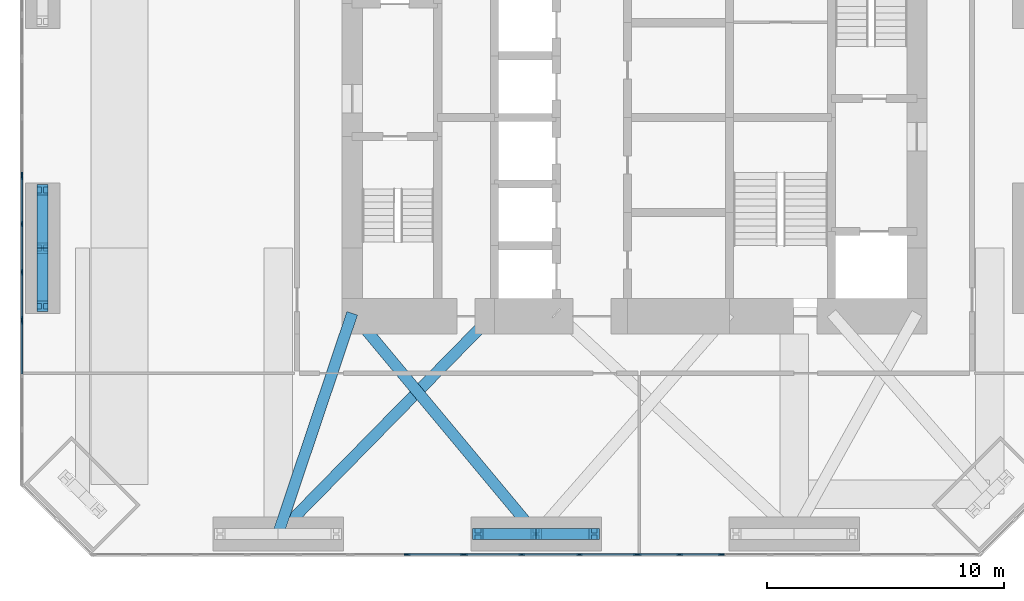
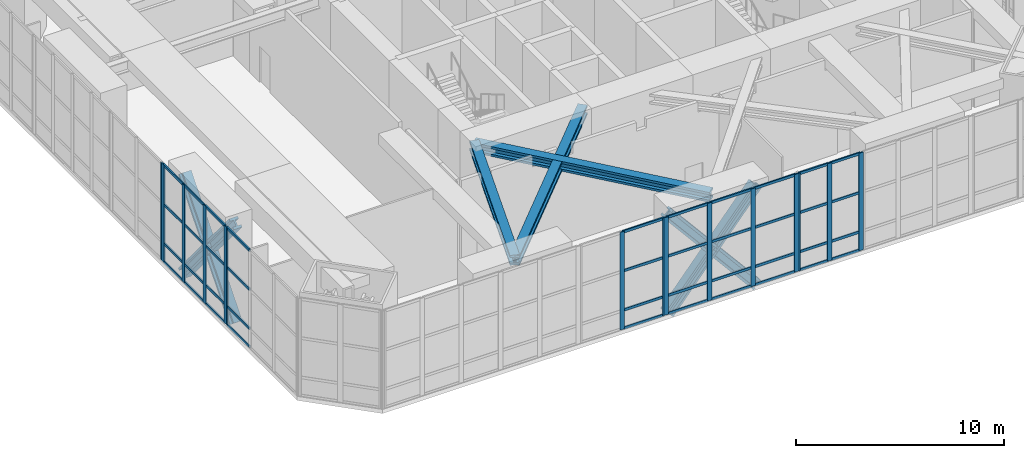
# One storey, part 3 of 18: 66 members, 6 elements without a shape of their own.
"""IFC4 building model written with IfcOpenShell, lengths in metres."""

from ifc_helpers import new_model, si_unit, direction, frame, origin, origin_2d, place, context, subcontext, project, spatial, rectangle, i_section, extrude, material, material_profile, profile_set, type_object, element, aggregate, save


model = new_model("IFC4")

# Units and contexts
model_context = context("Model", 3, precision=1e-05, world=origin(), true_north=direction((0.0, 1.0)))
body_context = subcontext(model_context, "Body", "Model", "MODEL_VIEW")
ifc_project = project(units=[si_unit("LENGTHUNIT", "METRE"), si_unit("AREAUNIT", "SQUARE_METRE"), si_unit("VOLUMEUNIT", "CUBIC_METRE"), si_unit("PLANEANGLEUNIT", "RADIAN"), si_unit("MASSUNIT", "GRAM", prefix="KILO")], contexts=[model_context])

# Site, building, storey
site_placement = place(None, origin())
site = spatial("IfcSite", under=ifc_project, at=site_placement, CompositionType="ELEMENT")
building_placement = place(site_placement, origin())
building = spatial("IfcBuilding", under=site, at=building_placement, Name="Jalousie Tower", CompositionType="ELEMENT")
storey_placement = place(building_placement, frame((0.0, 0.0, 138.35009765625)))
storey = spatial("IfcBuildingStorey", under=building, at=storey_placement, Name="L38", CompositionType="ELEMENT", Elevation=138.35009765625)

# Members
ifc_material_1 = material(Name="Steel ASTM A992 Grade 50", Category="steel")
ifc_material_profile_1 = material_profile(ifc_material_1, i_section(OverallWidth=0.472412109375, OverallDepth=0.5791015625, WebThickness=0.094970703125, FlangeThickness=0.1298828125, at=origin_2d()), Name="W14X808")
ifc_profile_set_1 = profile_set([ifc_material_profile_1], Name="Steel ASTM A992 Grade 50")
member_type_1 = type_object("IfcMemberType", Name="KINK FLOOR TRUSS DIAGONAL W14X808", PredefinedType="BRACE", material=ifc_profile_set_1)
member_1_placement = place(storey_placement, frame((16.875, 0.949951171875, 5.430419921875), z_axis=(0.318518684712, 0.947916582558, 0.0), x_axis=(-0.947916582558, 0.318518684712, 0.0)))
element("IfcMember", 1, at=member_1_placement, inside=storey, type_object=member_type_1, Name="Kink floor truss L39 02 diagonal", PredefinedType="BRACE", context=body_context, shape_type="SweptSolid", body=[
    extrude(i_section(OverallWidth=0.472412109375, OverallDepth=0.5791015625, WebThickness=0.094970703125, FlangeThickness=0.1298828125, at=origin_2d()), origin(), (0.0, 0.0, 1.0), 9.81103515625),
])
member_2_placement = place(storey_placement, frame((16.875, 0.949951171875, 5.430419921875), z_axis=(0.700357242992, 0.713792499392, 0.0), x_axis=(-0.713792499392, 0.700357242992, 0.0)))
element("IfcMember", 2, at=member_2_placement, inside=storey, type_object=member_type_1, Name="Kink floor truss L39 02 diagonal", PredefinedType="BRACE", context=body_context, shape_type="SweptSolid", body=[
    extrude(i_section(OverallWidth=0.472412109375, OverallDepth=0.5791015625, WebThickness=0.094970703125, FlangeThickness=0.1298828125, at=origin_2d()), origin(), (0.0, 0.0, 1.0), 13.029052734375),
])
member_3_placement = place(storey_placement, frame((27.75, 0.949951171875, 5.430419921875), z_axis=(-0.640182416019, 0.768222932631, 0.0), x_axis=(-0.768222932631, -0.640182416019, 0.0)))
element("IfcMember", 3, at=member_3_placement, inside=storey, type_object=member_type_1, Name="Kink floor truss L39 03 diagonal", PredefinedType="BRACE", context=body_context, shape_type="SweptSolid", body=[
    extrude(i_section(OverallWidth=0.472412109375, OverallDepth=0.5791015625, WebThickness=0.094970703125, FlangeThickness=0.1298828125, at=origin_2d()), origin(), (0.0, 0.0, 1.0), 12.10595703125),
])
ifc_material_2 = material(Name="Steel ASTM A992 Grade 50", Category="steel")
ifc_material_profile_2 = material_profile(ifc_material_2, i_section(OverallWidth=0.472412109375, OverallDepth=0.5791015625, WebThickness=0.094970703125, FlangeThickness=0.1298828125, at=origin_2d()), Name="W14X808")
ifc_profile_set_2 = profile_set([ifc_material_profile_2], Name="Steel ASTM A992 Grade 50")
member_type_2 = type_object("IfcMemberType", Name="PERIMETER BRACE W14X808", PredefinedType="BRACE", material=ifc_profile_set_2)
for number, where, z_axis, x_axis, name in (
    (4, (25.300048828125, 0.949951171875, -0.60009765625), (0.642101988506, 0.0, 0.766619225141), (0.0, 1.0, 0.0), "Perimeter brace 03 L38 part 1"),
    (5, (27.75, 0.949951171875, 2.324951171875), (0.642101988506, 0.0, 0.766619225141), (0.0, 1.0, 0.0), "Perimeter brace 03 L38 part 2"),
    (6, (30.199951171875, 0.949951171875, -0.60009765625), (-0.642101988506, 0.0, 0.766619225141), (0.0, -1.0, 0.0), "Perimeter brace 03 L38 part 3"),
    (7, (27.75, 0.949951171875, 2.324951171875), (-0.642101988506, 0.0, 0.766619225141), (0.0, -1.0, 0.0), "Perimeter brace 03 L38 part 4"),
    (8, (6.949951171875, 10.550048828125, -0.60009765625), (0.0, 0.642101988506, 0.766619225141), (-1.0, 0.0, 0.0), "Perimeter brace 14 L38 part 1"),
    (9, (6.949951171875, 13.0, 2.324951171875), (0.0, 0.642101988506, 0.766619225141), (-1.0, 0.0, 0.0), "Perimeter brace 14 L38 part 2"),
    (10, (6.949951171875, 15.449951171875, -0.60009765625), (0.0, -0.642101988506, 0.766619225141), (1.0, 0.0, 0.0), "Perimeter brace 14 L38 part 3"),
    (11, (6.949951171875, 13.0, 2.324951171875), (0.0, -0.642101988506, 0.766619225141), (1.0, 0.0, 0.0), "Perimeter brace 14 L38 part 4"),
):
    element("IfcMember", number, at=place(storey_placement, frame(where, z_axis=z_axis, x_axis=x_axis)), inside=storey, type_object=member_type_2, Name=name, PredefinedType="BRACE", context=body_context, shape_type="SweptSolid", body=[
        extrude(i_section(OverallWidth=0.472412109375, OverallDepth=0.5791015625, WebThickness=0.094970703125, FlangeThickness=0.1298828125, at=origin_2d()), origin(), (0.0, 0.0, 1.0), 3.8154296875),
    ])

# Curtain wall, members
ifc_material_3 = material(Name="Aluminium curtain wall", Category="aluminium")
curtain_wall_type_1 = type_object("IfcCurtainWallType", Name="SKY LOUNGE SPANDREL WALL", PredefinedType="USERDEFINED", material=ifc_material_3)
curtain_wall_1_placement = place(storey_placement, origin())
curtain_wall_1 = element("IfcCurtainWall", 12, at=curtain_wall_1_placement, inside=storey, type_object=curtain_wall_type_1, Name="Sky Lounge Spandrel Wall L38 3", ObjectType="SKY LOUNGE SPANDREL WALL", PredefinedType="USERDEFINED")
ifc_material_4 = material(Name="Aluminium mullion", Category="aluminium")
ifc_material_profile_3 = material_profile(ifc_material_4, rectangle(XDim=0.074951171875, YDim=0.25, at=origin_2d()), Name="MULLION 75x250")
ifc_profile_set_3 = profile_set([ifc_material_profile_3], Name="Aluminium mullion")
member_type_3 = type_object("IfcMemberType", Name="SKY LOUNGE SPANDREL WALL MULLION", PredefinedType="MULLION", material=ifc_profile_set_3)
member_4_placement = place(storey_placement, frame((24.748046875, 0.08740234375, 0.0), z_axis=(0.0, 0.0, 1.0), x_axis=(0.0, 1.0, 0.0)))
member_4 = element("IfcMember", 13, at=member_4_placement, type_object=member_type_3, Name="CW-KS mullion 1", PredefinedType="MULLION", context=body_context, shape_type="SweptSolid", body=[
    extrude(rectangle(XDim=0.074951171875, YDim=0.25, at=origin_2d()), origin(), (0.0, 0.0, 1.0), 5.719970703125),
])
member_5_placement = place(storey_placement, frame((27.14501953125, 0.08740234375, 0.0), z_axis=(0.0, 0.0, 1.0), x_axis=(0.0, 1.0, 0.0)))
member_5 = element("IfcMember", 14, at=member_5_placement, type_object=member_type_3, Name="CW-KS mullion 2", PredefinedType="MULLION", context=body_context, shape_type="SweptSolid", body=[
    extrude(rectangle(XDim=0.074951171875, YDim=0.25, at=origin_2d()), origin(), (0.0, 0.0, 1.0), 5.719970703125),
])
member_6_placement = place(storey_placement, frame((29.579345703125, 0.08740234375, 0.0), z_axis=(0.0, 0.0, 1.0), x_axis=(0.0, 1.0, 0.0)))
member_6 = element("IfcMember", 15, at=member_6_placement, type_object=member_type_3, Name="CW-KS mullion 3", PredefinedType="MULLION", context=body_context, shape_type="SweptSolid", body=[
    extrude(rectangle(XDim=0.074951171875, YDim=0.25, at=origin_2d()), origin(), (0.0, 0.0, 1.0), 5.719970703125),
])
member_7_placement = place(storey_placement, frame((31.976318359375, 0.08740234375, 0.0), z_axis=(0.0, 0.0, 1.0), x_axis=(0.0, 1.0, 0.0)))
member_7 = element("IfcMember", 16, at=member_7_placement, type_object=member_type_3, Name="CW-KS mullion 4", PredefinedType="MULLION", context=body_context, shape_type="SweptSolid", body=[
    extrude(rectangle(XDim=0.074951171875, YDim=0.25, at=origin_2d()), origin(), (0.0, 0.0, 1.0), 5.719970703125),
])

curtain_wall_2_placement = place(storey_placement, origin())
curtain_wall_2 = element("IfcCurtainWall", 17, at=curtain_wall_2_placement, inside=storey, type_object=curtain_wall_type_1, Name="Sky Lounge Spandrel Wall L38 64", ObjectType="SKY LOUNGE SPANDREL WALL", PredefinedType="USERDEFINED")
member_8_placement = place(storey_placement, frame((6.08740234375, 16.001953125, 0.0), z_axis=(0.0, 0.0, 1.0), x_axis=(1.0, 0.0, 0.0)))
member_8 = element("IfcMember", 18, at=member_8_placement, type_object=member_type_3, Name="CW-KS mullion 1", PredefinedType="MULLION", context=body_context, shape_type="SweptSolid", body=[
    extrude(rectangle(XDim=0.074951171875, YDim=0.25, at=origin_2d()), origin(), (0.0, 0.0, 1.0), 5.719970703125),
])
member_9_placement = place(storey_placement, frame((6.08740234375, 14.01318359375, 0.0), z_axis=(0.0, 0.0, 1.0), x_axis=(1.0, 0.0, 0.0)))
member_9 = element("IfcMember", 19, at=member_9_placement, type_object=member_type_3, Name="CW-KS mullion 2", PredefinedType="MULLION", context=body_context, shape_type="SweptSolid", body=[
    extrude(rectangle(XDim=0.074951171875, YDim=0.25, at=origin_2d()), origin(), (0.0, 0.0, 1.0), 5.719970703125),
])
member_10_placement = place(storey_placement, frame((6.08740234375, 11.98681640625, 0.0), z_axis=(0.0, 0.0, 1.0), x_axis=(1.0, 0.0, 0.0)))
member_10 = element("IfcMember", 20, at=member_10_placement, type_object=member_type_3, Name="CW-KS mullion 3", PredefinedType="MULLION", context=body_context, shape_type="SweptSolid", body=[
    extrude(rectangle(XDim=0.074951171875, YDim=0.25, at=origin_2d()), origin(), (0.0, 0.0, 1.0), 5.719970703125),
])
member_11_placement = place(storey_placement, frame((6.08740234375, 9.998046875, 0.0), z_axis=(0.0, 0.0, 1.0), x_axis=(1.0, 0.0, 0.0)))
member_11 = element("IfcMember", 21, at=member_11_placement, type_object=member_type_3, Name="CW-KS mullion 4", PredefinedType="MULLION", context=body_context, shape_type="SweptSolid", body=[
    extrude(rectangle(XDim=0.074951171875, YDim=0.25, at=origin_2d()), origin(), (0.0, 0.0, 1.0), 5.719970703125),
])

# Member
ifc_material_5 = material(Name="Aluminium transom", Category="aluminium")
ifc_material_profile_4 = material_profile(ifc_material_5, rectangle(XDim=0.074951171875, YDim=0.14990234375, at=origin_2d()), Name="TRANSOM 75x150")
ifc_profile_set_4 = profile_set([ifc_material_profile_4], Name="Aluminium transom")
member_type_4 = type_object("IfcMemberType", Name="SKY LOUNGE SPANDREL WALL TRANSOM", PredefinedType="USERDEFINED", material=ifc_profile_set_4)
member_12_placement = place(storey_placement, frame((24.785400390625, 0.08740234375, 0.037353515625), z_axis=(1.0, 0.0, 0.0), x_axis=(0.0, 1.0, 0.0)))
member_12 = element("IfcMember", 22, at=member_12_placement, type_object=member_type_4, Name="CW-KS transom 1.1", ObjectType="TRANSOM", PredefinedType="USERDEFINED", context=body_context, shape_type="SweptSolid", body=[
    extrude(rectangle(XDim=0.074951171875, YDim=0.14990234375, at=origin_2d()), origin(), (0.0, 0.0, 1.0), 2.322021484375),
])

member_13_placement = place(storey_placement, frame((24.785400390625, 0.08740234375, 1.099853515625), z_axis=(1.0, 0.0, 0.0), x_axis=(0.0, 1.0, 0.0)))
member_13 = element("IfcMember", 23, at=member_13_placement, type_object=member_type_4, Name="CW-KS transom 1.2", ObjectType="TRANSOM", PredefinedType="USERDEFINED", context=body_context, shape_type="SweptSolid", body=[
    extrude(rectangle(XDim=0.074951171875, YDim=0.14990234375, at=origin_2d()), origin(), (0.0, 0.0, 1.0), 2.322021484375),
])

member_14_placement = place(storey_placement, frame((24.785400390625, 0.08740234375, 3.39990234375), z_axis=(1.0, 0.0, 0.0), x_axis=(0.0, 1.0, 0.0)))
member_14 = element("IfcMember", 24, at=member_14_placement, type_object=member_type_4, Name="CW-KS transom 1.3", ObjectType="TRANSOM", PredefinedType="USERDEFINED", context=body_context, shape_type="SweptSolid", body=[
    extrude(rectangle(XDim=0.074951171875, YDim=0.14990234375, at=origin_2d()), origin(), (0.0, 0.0, 1.0), 2.322021484375),
])

member_15_placement = place(storey_placement, frame((24.785400390625, 0.08740234375, 5.682373046875), z_axis=(1.0, 0.0, 0.0), x_axis=(0.0, 1.0, 0.0)))
member_15 = element("IfcMember", 25, at=member_15_placement, type_object=member_type_4, Name="CW-KS transom 1.4", ObjectType="TRANSOM", PredefinedType="USERDEFINED", context=body_context, shape_type="SweptSolid", body=[
    extrude(rectangle(XDim=0.074951171875, YDim=0.14990234375, at=origin_2d()), origin(), (0.0, 0.0, 1.0), 2.322021484375),
])

member_16_placement = place(storey_placement, frame((27.182373046875, 0.08740234375, 0.037353515625), z_axis=(1.0, 0.0, 0.0), x_axis=(0.0, 1.0, 0.0)))
member_16 = element("IfcMember", 26, at=member_16_placement, type_object=member_type_4, Name="CW-KS transom 2.1", ObjectType="TRANSOM", PredefinedType="USERDEFINED", context=body_context, shape_type="SweptSolid", body=[
    extrude(rectangle(XDim=0.074951171875, YDim=0.14990234375, at=origin_2d()), origin(), (0.0, 0.0, 1.0), 2.359375),
])

member_17_placement = place(storey_placement, frame((27.182373046875, 0.08740234375, 1.099853515625), z_axis=(1.0, 0.0, 0.0), x_axis=(0.0, 1.0, 0.0)))
member_17 = element("IfcMember", 27, at=member_17_placement, type_object=member_type_4, Name="CW-KS transom 2.2", ObjectType="TRANSOM", PredefinedType="USERDEFINED", context=body_context, shape_type="SweptSolid", body=[
    extrude(rectangle(XDim=0.074951171875, YDim=0.14990234375, at=origin_2d()), origin(), (0.0, 0.0, 1.0), 2.359375),
])

member_18_placement = place(storey_placement, frame((27.182373046875, 0.08740234375, 3.39990234375), z_axis=(1.0, 0.0, 0.0), x_axis=(0.0, 1.0, 0.0)))
member_18 = element("IfcMember", 28, at=member_18_placement, type_object=member_type_4, Name="CW-KS transom 2.3", ObjectType="TRANSOM", PredefinedType="USERDEFINED", context=body_context, shape_type="SweptSolid", body=[
    extrude(rectangle(XDim=0.074951171875, YDim=0.14990234375, at=origin_2d()), origin(), (0.0, 0.0, 1.0), 2.359375),
])

member_19_placement = place(storey_placement, frame((27.182373046875, 0.08740234375, 5.682373046875), z_axis=(1.0, 0.0, 0.0), x_axis=(0.0, 1.0, 0.0)))
member_19 = element("IfcMember", 29, at=member_19_placement, type_object=member_type_4, Name="CW-KS transom 2.4", ObjectType="TRANSOM", PredefinedType="USERDEFINED", context=body_context, shape_type="SweptSolid", body=[
    extrude(rectangle(XDim=0.074951171875, YDim=0.14990234375, at=origin_2d()), origin(), (0.0, 0.0, 1.0), 2.359375),
])

member_20_placement = place(storey_placement, frame((29.61669921875, 0.08740234375, 0.037353515625), z_axis=(1.0, 0.0, 0.0), x_axis=(0.0, 1.0, 0.0)))
member_20 = element("IfcMember", 30, at=member_20_placement, type_object=member_type_4, Name="CW-KS transom 3.1", ObjectType="TRANSOM", PredefinedType="USERDEFINED", context=body_context, shape_type="SweptSolid", body=[
    extrude(rectangle(XDim=0.074951171875, YDim=0.14990234375, at=origin_2d()), origin(), (0.0, 0.0, 1.0), 2.322021484375),
])

member_21_placement = place(storey_placement, frame((29.61669921875, 0.08740234375, 1.099853515625), z_axis=(1.0, 0.0, 0.0), x_axis=(0.0, 1.0, 0.0)))
member_21 = element("IfcMember", 31, at=member_21_placement, type_object=member_type_4, Name="CW-KS transom 3.2", ObjectType="TRANSOM", PredefinedType="USERDEFINED", context=body_context, shape_type="SweptSolid", body=[
    extrude(rectangle(XDim=0.074951171875, YDim=0.14990234375, at=origin_2d()), origin(), (0.0, 0.0, 1.0), 2.322021484375),
])

member_22_placement = place(storey_placement, frame((29.61669921875, 0.08740234375, 3.39990234375), z_axis=(1.0, 0.0, 0.0), x_axis=(0.0, 1.0, 0.0)))
member_22 = element("IfcMember", 32, at=member_22_placement, type_object=member_type_4, Name="CW-KS transom 3.3", ObjectType="TRANSOM", PredefinedType="USERDEFINED", context=body_context, shape_type="SweptSolid", body=[
    extrude(rectangle(XDim=0.074951171875, YDim=0.14990234375, at=origin_2d()), origin(), (0.0, 0.0, 1.0), 2.322021484375),
])

member_23_placement = place(storey_placement, frame((29.61669921875, 0.08740234375, 5.682373046875), z_axis=(1.0, 0.0, 0.0), x_axis=(0.0, 1.0, 0.0)))
member_23 = element("IfcMember", 33, at=member_23_placement, type_object=member_type_4, Name="CW-KS transom 3.4", ObjectType="TRANSOM", PredefinedType="USERDEFINED", context=body_context, shape_type="SweptSolid", body=[
    extrude(rectangle(XDim=0.074951171875, YDim=0.14990234375, at=origin_2d()), origin(), (0.0, 0.0, 1.0), 2.322021484375),
])

aggregate(curtain_wall_1, [member_4, member_5, member_6, member_7, member_12, member_13, member_14, member_15, member_16, member_17, member_18, member_19, member_20, member_21, member_22, member_23])

member_24_placement = place(storey_placement, frame((6.08740234375, 15.964599609375, 0.037353515625), z_axis=(0.0, -1.0, 0.0), x_axis=(1.0, 0.0, 0.0)))
member_24 = element("IfcMember", 34, at=member_24_placement, type_object=member_type_4, Name="CW-KS transom 1.1", ObjectType="TRANSOM", PredefinedType="USERDEFINED", context=body_context, shape_type="SweptSolid", body=[
    extrude(rectangle(XDim=0.074951171875, YDim=0.14990234375, at=origin_2d()), origin(), (0.0, 0.0, 1.0), 1.913818359375),
])

member_25_placement = place(storey_placement, frame((6.08740234375, 15.964599609375, 1.099853515625), z_axis=(0.0, -1.0, 0.0), x_axis=(1.0, 0.0, 0.0)))
member_25 = element("IfcMember", 35, at=member_25_placement, type_object=member_type_4, Name="CW-KS transom 1.2", ObjectType="TRANSOM", PredefinedType="USERDEFINED", context=body_context, shape_type="SweptSolid", body=[
    extrude(rectangle(XDim=0.074951171875, YDim=0.14990234375, at=origin_2d()), origin(), (0.0, 0.0, 1.0), 1.913818359375),
])

member_26_placement = place(storey_placement, frame((6.08740234375, 15.964599609375, 3.39990234375), z_axis=(0.0, -1.0, 0.0), x_axis=(1.0, 0.0, 0.0)))
member_26 = element("IfcMember", 36, at=member_26_placement, type_object=member_type_4, Name="CW-KS transom 1.3", ObjectType="TRANSOM", PredefinedType="USERDEFINED", context=body_context, shape_type="SweptSolid", body=[
    extrude(rectangle(XDim=0.074951171875, YDim=0.14990234375, at=origin_2d()), origin(), (0.0, 0.0, 1.0), 1.913818359375),
])

member_27_placement = place(storey_placement, frame((6.08740234375, 15.964599609375, 5.682373046875), z_axis=(0.0, -1.0, 0.0), x_axis=(1.0, 0.0, 0.0)))
member_27 = element("IfcMember", 37, at=member_27_placement, type_object=member_type_4, Name="CW-KS transom 1.4", ObjectType="TRANSOM", PredefinedType="USERDEFINED", context=body_context, shape_type="SweptSolid", body=[
    extrude(rectangle(XDim=0.074951171875, YDim=0.14990234375, at=origin_2d()), origin(), (0.0, 0.0, 1.0), 1.913818359375),
])

member_28_placement = place(storey_placement, frame((6.08740234375, 13.9755859375, 0.037353515625), z_axis=(0.0, -1.0, 0.0), x_axis=(1.0, 0.0, 0.0)))
member_28 = element("IfcMember", 38, at=member_28_placement, type_object=member_type_4, Name="CW-KS transom 2.1", ObjectType="TRANSOM", PredefinedType="USERDEFINED", context=body_context, shape_type="SweptSolid", body=[
    extrude(rectangle(XDim=0.074951171875, YDim=0.14990234375, at=origin_2d()), origin(), (0.0, 0.0, 1.0), 1.951171875),
])

member_29_placement = place(storey_placement, frame((6.08740234375, 13.9755859375, 1.099853515625), z_axis=(0.0, -1.0, 0.0), x_axis=(1.0, 0.0, 0.0)))
member_29 = element("IfcMember", 39, at=member_29_placement, type_object=member_type_4, Name="CW-KS transom 2.2", ObjectType="TRANSOM", PredefinedType="USERDEFINED", context=body_context, shape_type="SweptSolid", body=[
    extrude(rectangle(XDim=0.074951171875, YDim=0.14990234375, at=origin_2d()), origin(), (0.0, 0.0, 1.0), 1.951171875),
])

member_30_placement = place(storey_placement, frame((6.08740234375, 13.9755859375, 3.39990234375), z_axis=(0.0, -1.0, 0.0), x_axis=(1.0, 0.0, 0.0)))
member_30 = element("IfcMember", 40, at=member_30_placement, type_object=member_type_4, Name="CW-KS transom 2.3", ObjectType="TRANSOM", PredefinedType="USERDEFINED", context=body_context, shape_type="SweptSolid", body=[
    extrude(rectangle(XDim=0.074951171875, YDim=0.14990234375, at=origin_2d()), origin(), (0.0, 0.0, 1.0), 1.951171875),
])

member_31_placement = place(storey_placement, frame((6.08740234375, 13.9755859375, 5.682373046875), z_axis=(0.0, -1.0, 0.0), x_axis=(1.0, 0.0, 0.0)))
member_31 = element("IfcMember", 41, at=member_31_placement, type_object=member_type_4, Name="CW-KS transom 2.4", ObjectType="TRANSOM", PredefinedType="USERDEFINED", context=body_context, shape_type="SweptSolid", body=[
    extrude(rectangle(XDim=0.074951171875, YDim=0.14990234375, at=origin_2d()), origin(), (0.0, 0.0, 1.0), 1.951171875),
])

member_32_placement = place(storey_placement, frame((6.08740234375, 11.94921875, 0.037353515625), z_axis=(0.0, -1.0, 0.0), x_axis=(1.0, 0.0, 0.0)))
member_32 = element("IfcMember", 42, at=member_32_placement, type_object=member_type_4, Name="CW-KS transom 3.1", ObjectType="TRANSOM", PredefinedType="USERDEFINED", context=body_context, shape_type="SweptSolid", body=[
    extrude(rectangle(XDim=0.074951171875, YDim=0.14990234375, at=origin_2d()), origin(), (0.0, 0.0, 1.0), 1.913818359375),
])

member_33_placement = place(storey_placement, frame((6.08740234375, 11.94921875, 1.099853515625), z_axis=(0.0, -1.0, 0.0), x_axis=(1.0, 0.0, 0.0)))
member_33 = element("IfcMember", 43, at=member_33_placement, type_object=member_type_4, Name="CW-KS transom 3.2", ObjectType="TRANSOM", PredefinedType="USERDEFINED", context=body_context, shape_type="SweptSolid", body=[
    extrude(rectangle(XDim=0.074951171875, YDim=0.14990234375, at=origin_2d()), origin(), (0.0, 0.0, 1.0), 1.913818359375),
])

member_34_placement = place(storey_placement, frame((6.08740234375, 11.94921875, 3.39990234375), z_axis=(0.0, -1.0, 0.0), x_axis=(1.0, 0.0, 0.0)))
member_34 = element("IfcMember", 44, at=member_34_placement, type_object=member_type_4, Name="CW-KS transom 3.3", ObjectType="TRANSOM", PredefinedType="USERDEFINED", context=body_context, shape_type="SweptSolid", body=[
    extrude(rectangle(XDim=0.074951171875, YDim=0.14990234375, at=origin_2d()), origin(), (0.0, 0.0, 1.0), 1.913818359375),
])

member_35_placement = place(storey_placement, frame((6.08740234375, 11.94921875, 5.682373046875), z_axis=(0.0, -1.0, 0.0), x_axis=(1.0, 0.0, 0.0)))
member_35 = element("IfcMember", 45, at=member_35_placement, type_object=member_type_4, Name="CW-KS transom 3.4", ObjectType="TRANSOM", PredefinedType="USERDEFINED", context=body_context, shape_type="SweptSolid", body=[
    extrude(rectangle(XDim=0.074951171875, YDim=0.14990234375, at=origin_2d()), origin(), (0.0, 0.0, 1.0), 1.913818359375),
])

aggregate(curtain_wall_2, [member_8, member_9, member_10, member_11, member_24, member_25, member_26, member_27, member_28, member_29, member_30, member_31, member_32, member_33, member_34, member_35])

# Curtain wall, members
ifc_material_6 = material(Name="Aluminium curtain wall", Category="aluminium")
curtain_wall_type_2 = type_object("IfcCurtainWallType", Name="SKY LOUNGE WINDOW WALL", PredefinedType="USERDEFINED", material=ifc_material_6)
curtain_wall_3_placement = place(storey_placement, origin())
curtain_wall_3 = element("IfcCurtainWall", 46, at=curtain_wall_3_placement, inside=storey, type_object=curtain_wall_type_2, Name="Sky Lounge Window Wall L38 2", ObjectType="SKY LOUNGE WINDOW WALL", PredefinedType="USERDEFINED")
ifc_material_7 = material(Name="Aluminium mullion", Category="aluminium")
ifc_material_profile_5 = material_profile(ifc_material_7, rectangle(XDim=0.074951171875, YDim=0.25, at=origin_2d()), Name="MULLION 75x250")
ifc_profile_set_5 = profile_set([ifc_material_profile_5], Name="Aluminium mullion")
member_type_5 = type_object("IfcMemberType", Name="SKY LOUNGE WINDOW WALL MULLION", PredefinedType="MULLION", material=ifc_profile_set_5)
member_36_placement = place(storey_placement, frame((22.3125, 0.08740234375, 0.0), z_axis=(0.0, 0.0, 1.0), x_axis=(0.0, 1.0, 0.0)))
member_36 = element("IfcMember", 47, at=member_36_placement, type_object=member_type_5, Name="CW-K mullion 2", PredefinedType="MULLION", context=body_context, shape_type="SweptSolid", body=[
    extrude(rectangle(XDim=0.074951171875, YDim=0.25, at=origin_2d()), origin(), (0.0, 0.0, 1.0), 5.719970703125),
])
member_37_placement = place(storey_placement, frame((24.673095703125, 0.08740234375, 0.0), z_axis=(0.0, 0.0, 1.0), x_axis=(0.0, 1.0, 0.0)))
member_37 = element("IfcMember", 48, at=member_37_placement, type_object=member_type_5, Name="CW-K mullion 3", PredefinedType="MULLION", context=body_context, shape_type="SweptSolid", body=[
    extrude(rectangle(XDim=0.074951171875, YDim=0.25, at=origin_2d()), origin(), (0.0, 0.0, 1.0), 5.719970703125),
])

curtain_wall_4_placement = place(storey_placement, origin())
curtain_wall_4 = element("IfcCurtainWall", 49, at=curtain_wall_4_placement, inside=storey, type_object=curtain_wall_type_2, Name="Sky Lounge Window Wall L38 4", ObjectType="SKY LOUNGE WINDOW WALL", PredefinedType="USERDEFINED")
member_38_placement = place(storey_placement, frame((32.05126953125, 0.08740234375, 0.0), z_axis=(0.0, 0.0, 1.0), x_axis=(0.0, 1.0, 0.0)))
member_38 = element("IfcMember", 50, at=member_38_placement, type_object=member_type_5, Name="CW-K mullion 1", PredefinedType="MULLION", context=body_context, shape_type="SweptSolid", body=[
    extrude(rectangle(XDim=0.074951171875, YDim=0.25, at=origin_2d()), origin(), (0.0, 0.0, 1.0), 5.719970703125),
])
member_39_placement = place(storey_placement, frame((33.799560546875, 0.08740234375, 0.0), z_axis=(0.0, 0.0, 1.0), x_axis=(0.0, 1.0, 0.0)))
member_39 = element("IfcMember", 51, at=member_39_placement, type_object=member_type_5, Name="CW-K mullion 2", PredefinedType="MULLION", context=body_context, shape_type="SweptSolid", body=[
    extrude(rectangle(XDim=0.074951171875, YDim=0.25, at=origin_2d()), origin(), (0.0, 0.0, 1.0), 5.719970703125),
])
member_40_placement = place(storey_placement, frame((35.5478515625, 0.08740234375, 0.0), z_axis=(0.0, 0.0, 1.0), x_axis=(0.0, 1.0, 0.0)))
member_40 = element("IfcMember", 52, at=member_40_placement, type_object=member_type_5, Name="CW-K mullion 3", PredefinedType="MULLION", context=body_context, shape_type="SweptSolid", body=[
    extrude(rectangle(XDim=0.074951171875, YDim=0.25, at=origin_2d()), origin(), (0.0, 0.0, 1.0), 5.719970703125),
])

# Curtain wall, member
curtain_wall_5_placement = place(storey_placement, origin())
curtain_wall_5 = element("IfcCurtainWall", 53, at=curtain_wall_5_placement, inside=storey, type_object=curtain_wall_type_2, Name="Sky Lounge Window Wall L38 63", ObjectType="SKY LOUNGE WINDOW WALL", PredefinedType="USERDEFINED")
member_41_placement = place(storey_placement, frame((6.08740234375, 16.076904296875, 0.0), z_axis=(0.0, 0.0, 1.0), x_axis=(1.0, 0.0, 0.0)))
member_41 = element("IfcMember", 54, at=member_41_placement, type_object=member_type_5, Name="CW-K mullion 3", PredefinedType="MULLION", context=body_context, shape_type="SweptSolid", body=[
    extrude(rectangle(XDim=0.074951171875, YDim=0.25, at=origin_2d()), origin(), (0.0, 0.0, 1.0), 5.719970703125),
])
aggregate(curtain_wall_5, [member_41])

curtain_wall_6_placement = place(storey_placement, origin())
curtain_wall_6 = element("IfcCurtainWall", 55, at=curtain_wall_6_placement, inside=storey, type_object=curtain_wall_type_2, Name="Sky Lounge Window Wall L38 65", ObjectType="SKY LOUNGE WINDOW WALL", PredefinedType="USERDEFINED")
member_42_placement = place(storey_placement, frame((6.08740234375, 9.923095703125, 0.0), z_axis=(0.0, 0.0, 1.0), x_axis=(1.0, 0.0, 0.0)))
member_42 = element("IfcMember", 56, at=member_42_placement, type_object=member_type_5, Name="CW-K mullion 1", PredefinedType="MULLION", context=body_context, shape_type="SweptSolid", body=[
    extrude(rectangle(XDim=0.074951171875, YDim=0.25, at=origin_2d()), origin(), (0.0, 0.0, 1.0), 5.719970703125),
])

# Member
ifc_material_8 = material(Name="Aluminium transom", Category="aluminium")
ifc_material_profile_6 = material_profile(ifc_material_8, rectangle(XDim=0.074951171875, YDim=0.14990234375, at=origin_2d()), Name="TRANSOM 75x150")
ifc_profile_set_6 = profile_set([ifc_material_profile_6], Name="Aluminium transom")
member_type_6 = type_object("IfcMemberType", Name="SKY LOUNGE WINDOW WALL TRANSOM", PredefinedType="USERDEFINED", material=ifc_profile_set_6)
member_43_placement = place(storey_placement, frame((22.35009765625, 0.08740234375, 0.037353515625), z_axis=(1.0, 0.0, 0.0), x_axis=(0.0, 1.0, 0.0)))
member_43 = element("IfcMember", 57, at=member_43_placement, type_object=member_type_6, Name="CW-K transom 2.1", ObjectType="TRANSOM", PredefinedType="USERDEFINED", context=body_context, shape_type="SweptSolid", body=[
    extrude(rectangle(XDim=0.074951171875, YDim=0.14990234375, at=origin_2d()), origin(), (0.0, 0.0, 1.0), 2.285400390625),
])

member_44_placement = place(storey_placement, frame((22.35009765625, 0.08740234375, 1.099853515625), z_axis=(1.0, 0.0, 0.0), x_axis=(0.0, 1.0, 0.0)))
member_44 = element("IfcMember", 58, at=member_44_placement, type_object=member_type_6, Name="CW-K transom 2.2", ObjectType="TRANSOM", PredefinedType="USERDEFINED", context=body_context, shape_type="SweptSolid", body=[
    extrude(rectangle(XDim=0.074951171875, YDim=0.14990234375, at=origin_2d()), origin(), (0.0, 0.0, 1.0), 2.285400390625),
])

member_45_placement = place(storey_placement, frame((22.35009765625, 0.08740234375, 3.39990234375), z_axis=(1.0, 0.0, 0.0), x_axis=(0.0, 1.0, 0.0)))
member_45 = element("IfcMember", 59, at=member_45_placement, type_object=member_type_6, Name="CW-K transom 2.3", ObjectType="TRANSOM", PredefinedType="USERDEFINED", context=body_context, shape_type="SweptSolid", body=[
    extrude(rectangle(XDim=0.074951171875, YDim=0.14990234375, at=origin_2d()), origin(), (0.0, 0.0, 1.0), 2.285400390625),
])

member_46_placement = place(storey_placement, frame((22.35009765625, 0.08740234375, 5.682373046875), z_axis=(1.0, 0.0, 0.0), x_axis=(0.0, 1.0, 0.0)))
member_46 = element("IfcMember", 60, at=member_46_placement, type_object=member_type_6, Name="CW-K transom 2.4", ObjectType="TRANSOM", PredefinedType="USERDEFINED", context=body_context, shape_type="SweptSolid", body=[
    extrude(rectangle(XDim=0.074951171875, YDim=0.14990234375, at=origin_2d()), origin(), (0.0, 0.0, 1.0), 2.285400390625),
])

aggregate(curtain_wall_3, [member_36, member_37, member_43, member_44, member_45, member_46])

member_47_placement = place(storey_placement, frame((32.088623046875, 0.08740234375, 0.037353515625), z_axis=(1.0, 0.0, 0.0), x_axis=(0.0, 1.0, 0.0)))
member_47 = element("IfcMember", 61, at=member_47_placement, type_object=member_type_6, Name="CW-K transom 1.1", ObjectType="TRANSOM", PredefinedType="USERDEFINED", context=body_context, shape_type="SweptSolid", body=[
    extrude(rectangle(XDim=0.074951171875, YDim=0.14990234375, at=origin_2d()), origin(), (0.0, 0.0, 1.0), 1.67333984375),
])

member_48_placement = place(storey_placement, frame((32.088623046875, 0.08740234375, 1.099853515625), z_axis=(1.0, 0.0, 0.0), x_axis=(0.0, 1.0, 0.0)))
member_48 = element("IfcMember", 62, at=member_48_placement, type_object=member_type_6, Name="CW-K transom 1.2", ObjectType="TRANSOM", PredefinedType="USERDEFINED", context=body_context, shape_type="SweptSolid", body=[
    extrude(rectangle(XDim=0.074951171875, YDim=0.14990234375, at=origin_2d()), origin(), (0.0, 0.0, 1.0), 1.67333984375),
])

member_49_placement = place(storey_placement, frame((32.088623046875, 0.08740234375, 3.39990234375), z_axis=(1.0, 0.0, 0.0), x_axis=(0.0, 1.0, 0.0)))
member_49 = element("IfcMember", 63, at=member_49_placement, type_object=member_type_6, Name="CW-K transom 1.3", ObjectType="TRANSOM", PredefinedType="USERDEFINED", context=body_context, shape_type="SweptSolid", body=[
    extrude(rectangle(XDim=0.074951171875, YDim=0.14990234375, at=origin_2d()), origin(), (0.0, 0.0, 1.0), 1.67333984375),
])

member_50_placement = place(storey_placement, frame((32.088623046875, 0.08740234375, 5.682373046875), z_axis=(1.0, 0.0, 0.0), x_axis=(0.0, 1.0, 0.0)))
member_50 = element("IfcMember", 64, at=member_50_placement, type_object=member_type_6, Name="CW-K transom 1.4", ObjectType="TRANSOM", PredefinedType="USERDEFINED", context=body_context, shape_type="SweptSolid", body=[
    extrude(rectangle(XDim=0.074951171875, YDim=0.14990234375, at=origin_2d()), origin(), (0.0, 0.0, 1.0), 1.67333984375),
])

member_51_placement = place(storey_placement, frame((33.837158203125, 0.08740234375, 0.037353515625), z_axis=(1.0, 0.0, 0.0), x_axis=(0.0, 1.0, 0.0)))
member_51 = element("IfcMember", 65, at=member_51_placement, type_object=member_type_6, Name="CW-K transom 2.1", ObjectType="TRANSOM", PredefinedType="USERDEFINED", context=body_context, shape_type="SweptSolid", body=[
    extrude(rectangle(XDim=0.074951171875, YDim=0.14990234375, at=origin_2d()), origin(), (0.0, 0.0, 1.0), 1.67333984375),
])

member_52_placement = place(storey_placement, frame((33.837158203125, 0.08740234375, 1.099853515625), z_axis=(1.0, 0.0, 0.0), x_axis=(0.0, 1.0, 0.0)))
member_52 = element("IfcMember", 66, at=member_52_placement, type_object=member_type_6, Name="CW-K transom 2.2", ObjectType="TRANSOM", PredefinedType="USERDEFINED", context=body_context, shape_type="SweptSolid", body=[
    extrude(rectangle(XDim=0.074951171875, YDim=0.14990234375, at=origin_2d()), origin(), (0.0, 0.0, 1.0), 1.67333984375),
])

member_53_placement = place(storey_placement, frame((33.837158203125, 0.08740234375, 3.39990234375), z_axis=(1.0, 0.0, 0.0), x_axis=(0.0, 1.0, 0.0)))
member_53 = element("IfcMember", 67, at=member_53_placement, type_object=member_type_6, Name="CW-K transom 2.3", ObjectType="TRANSOM", PredefinedType="USERDEFINED", context=body_context, shape_type="SweptSolid", body=[
    extrude(rectangle(XDim=0.074951171875, YDim=0.14990234375, at=origin_2d()), origin(), (0.0, 0.0, 1.0), 1.67333984375),
])

member_54_placement = place(storey_placement, frame((33.837158203125, 0.08740234375, 5.682373046875), z_axis=(1.0, 0.0, 0.0), x_axis=(0.0, 1.0, 0.0)))
member_54 = element("IfcMember", 68, at=member_54_placement, type_object=member_type_6, Name="CW-K transom 2.4", ObjectType="TRANSOM", PredefinedType="USERDEFINED", context=body_context, shape_type="SweptSolid", body=[
    extrude(rectangle(XDim=0.074951171875, YDim=0.14990234375, at=origin_2d()), origin(), (0.0, 0.0, 1.0), 1.67333984375),
])

aggregate(curtain_wall_4, [member_38, member_39, member_40, member_47, member_48, member_49, member_50, member_51, member_52, member_53, member_54])

member_55_placement = place(storey_placement, frame((6.08740234375, 9.885498046875, 0.037353515625), z_axis=(0.0, -1.0, 0.0), x_axis=(1.0, 0.0, 0.0)))
member_55 = element("IfcMember", 69, at=member_55_placement, type_object=member_type_6, Name="CW-K transom 1.1", ObjectType="TRANSOM", PredefinedType="USERDEFINED", context=body_context, shape_type="SweptSolid", body=[
    extrude(rectangle(XDim=0.074951171875, YDim=0.14990234375, at=origin_2d()), origin(), (0.0, 0.0, 1.0), 2.190673828125),
])

member_56_placement = place(storey_placement, frame((6.08740234375, 9.885498046875, 1.099853515625), z_axis=(0.0, -1.0, 0.0), x_axis=(1.0, 0.0, 0.0)))
member_56 = element("IfcMember", 70, at=member_56_placement, type_object=member_type_6, Name="CW-K transom 1.2", ObjectType="TRANSOM", PredefinedType="USERDEFINED", context=body_context, shape_type="SweptSolid", body=[
    extrude(rectangle(XDim=0.074951171875, YDim=0.14990234375, at=origin_2d()), origin(), (0.0, 0.0, 1.0), 2.190673828125),
])

member_57_placement = place(storey_placement, frame((6.08740234375, 9.885498046875, 3.39990234375), z_axis=(0.0, -1.0, 0.0), x_axis=(1.0, 0.0, 0.0)))
member_57 = element("IfcMember", 71, at=member_57_placement, type_object=member_type_6, Name="CW-K transom 1.3", ObjectType="TRANSOM", PredefinedType="USERDEFINED", context=body_context, shape_type="SweptSolid", body=[
    extrude(rectangle(XDim=0.074951171875, YDim=0.14990234375, at=origin_2d()), origin(), (0.0, 0.0, 1.0), 2.190673828125),
])

member_58_placement = place(storey_placement, frame((6.08740234375, 9.885498046875, 5.682373046875), z_axis=(0.0, -1.0, 0.0), x_axis=(1.0, 0.0, 0.0)))
member_58 = element("IfcMember", 72, at=member_58_placement, type_object=member_type_6, Name="CW-K transom 1.4", ObjectType="TRANSOM", PredefinedType="USERDEFINED", context=body_context, shape_type="SweptSolid", body=[
    extrude(rectangle(XDim=0.074951171875, YDim=0.14990234375, at=origin_2d()), origin(), (0.0, 0.0, 1.0), 2.190673828125),
])

aggregate(curtain_wall_6, [member_42, member_55, member_56, member_57, member_58])

save(model, "model.ifc")
